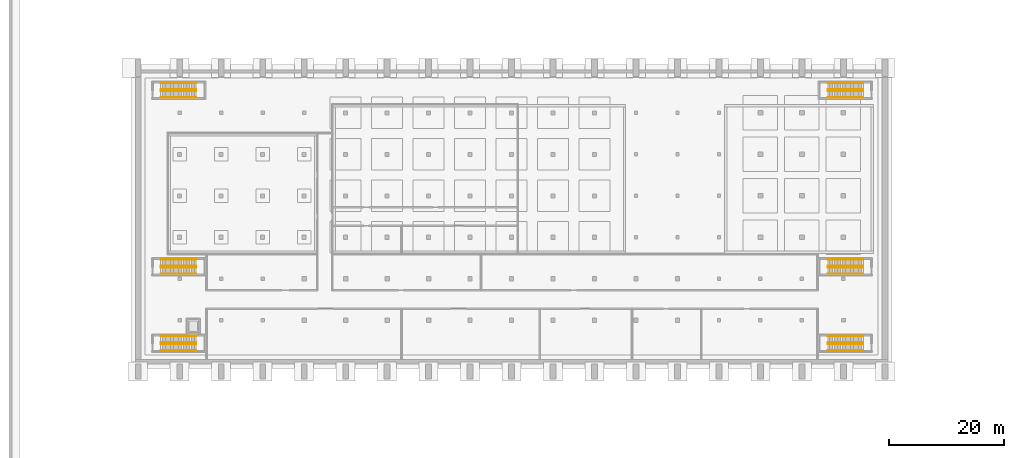
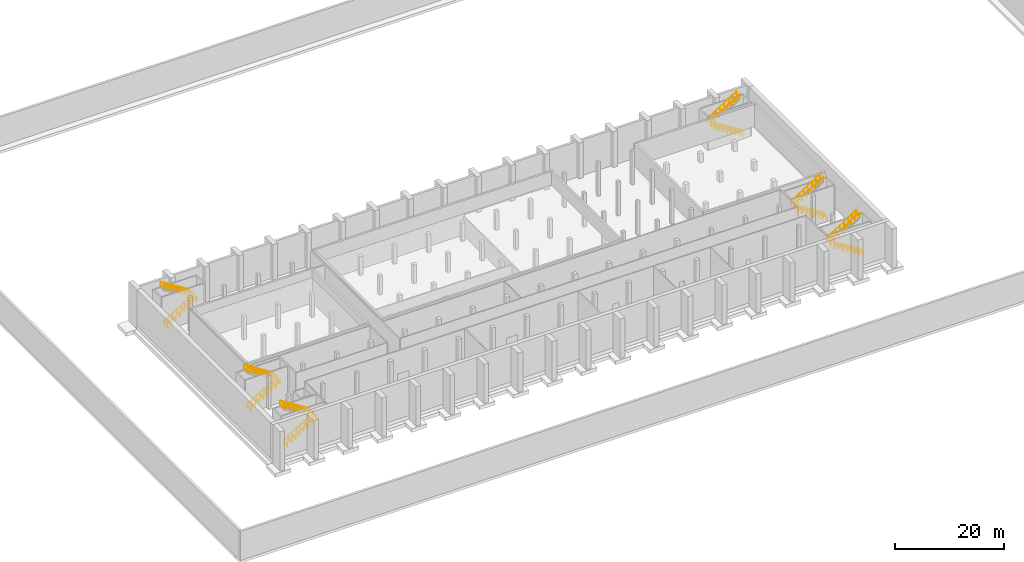
# One storey, part 13 of 14: 24 railings.
"""IFC4 building model written with IfcOpenShell, lengths in metres."""

from ifc_helpers import new_model, si_unit, direction, frame, origin, origin_2d, place, context, subcontext, project, spatial, circle, extrude, material, type_object, element, save


model = new_model("IFC4")

# Units and contexts
model_context = context("Model", 3, precision=1e-05, world=origin(), true_north=direction((0.0, 1.0)))
body_context = subcontext(model_context, "Body", "Model", "MODEL_VIEW")
ifc_project = project(units=[si_unit("LENGTHUNIT", "METRE"), si_unit("AREAUNIT", "SQUARE_METRE"), si_unit("VOLUMEUNIT", "CUBIC_METRE"), si_unit("PLANEANGLEUNIT", "RADIAN"), si_unit("MASSUNIT", "GRAM", prefix="KILO")], contexts=[model_context])

# Site, building, storey
site_placement = place(None, origin())
site = spatial("IfcSite", under=ifc_project, at=site_placement, CompositionType="ELEMENT")
building_placement = place(site_placement, origin())
building = spatial("IfcBuilding", under=site, at=building_placement, Name="Vermilion Court Aquatics Centre", CompositionType="ELEMENT")
storey_placement = place(building_placement, frame((0.0, 0.0, -8.0)))
storey = spatial("IfcBuildingStorey", under=building, at=storey_placement, Name="B1", CompositionType="ELEMENT", Elevation=-8.0)

# Railings
ifc_material = material(Name="Steel ASTM A992 Grade 50", Category="steel")
railing_type = type_object("IfcRailingType", Name="Hall stair handrail 900", PredefinedType="HANDRAIL", material=ifc_material)
for number, where, name in (
    (1, (18.300048828125, 17.449951171875, 0.173828125), "Exit stair 1 handrail"),
    (2, (18.300048828125, 16.35009765625, 0.173828125), "Exit stair 1 handrail"),
):
    element("IfcRailing", number, at=place(storey_placement, frame(where)), inside=storey, type_object=railing_type, Name=name, PredefinedType="HANDRAIL", context=body_context, shape_type="SweptSolid", body=[
        extrude(circle(Radius=0.02392578125, at=origin_2d()), frame((0.0, 0.0, 0.8759765625), z_axis=(0.849468459523, 0.0, 0.527639399851), x_axis=(0.0, 1.0, 0.0)), (0.0, 0.0, 1.0), 7.25146484375),
        extrude(circle(Radius=0.02099609375, at=origin_2d()), origin(), (0.0, 0.0, 1.0), 0.851806640625),
        extrude(circle(Radius=0.02099609375, at=origin_2d()), frame((0.8798828125, 0.0, 0.546630859375)), (0.0, 0.0, 1.0), 0.851806640625),
        extrude(circle(Radius=0.02099609375, at=origin_2d()), frame((1.760009765625, 0.0, 1.09326171875)), (0.0, 0.0, 1.0), 0.851806640625),
        extrude(circle(Radius=0.02099609375, at=origin_2d()), frame((2.639892578125, 0.0, 1.639892578125)), (0.0, 0.0, 1.0), 0.851806640625),
        extrude(circle(Radius=0.02099609375, at=origin_2d()), frame((3.52001953125, 0.0, 2.186279296875)), (0.0, 0.0, 1.0), 0.851806640625),
        extrude(circle(Radius=0.02099609375, at=origin_2d()), frame((4.39990234375, 0.0, 2.73291015625)), (0.0, 0.0, 1.0), 0.851806640625),
        extrude(circle(Radius=0.02099609375, at=origin_2d()), frame((5.280029296875, 0.0, 3.279541015625)), (0.0, 0.0, 1.0), 0.851806640625),
        extrude(circle(Radius=0.02099609375, at=origin_2d()), frame((6.159912109375, 0.0, 3.826171875)), (0.0, 0.0, 1.0), 0.851806640625),
    ])
for number, where, name in (
    (3, (24.4599609375, 18.85009765625, 4.173828125), "Exit stair 1 handrail"),
    (4, (24.4599609375, 17.75, 4.173828125), "Exit stair 1 handrail"),
):
    element("IfcRailing", number, at=place(storey_placement, frame(where)), inside=storey, type_object=railing_type, Name=name, PredefinedType="HANDRAIL", context=body_context, shape_type="SweptSolid", body=[
        extrude(circle(Radius=0.02392578125, at=origin_2d()), frame((0.0, 0.0, 0.8759765625), z_axis=(-0.849468459523, 0.0, 0.527639399851), x_axis=(0.0, -1.0, 0.0)), (0.0, 0.0, 1.0), 7.25146484375),
        extrude(circle(Radius=0.02099609375, at=origin_2d()), origin(), (0.0, 0.0, 1.0), 0.851806640625),
        extrude(circle(Radius=0.02099609375, at=origin_2d()), frame((-0.8798828125, 0.0, 0.546630859375)), (0.0, 0.0, 1.0), 0.851806640625),
        extrude(circle(Radius=0.02099609375, at=origin_2d()), frame((-1.760009765625, 0.0, 1.09326171875)), (0.0, 0.0, 1.0), 0.851806640625),
        extrude(circle(Radius=0.02099609375, at=origin_2d()), frame((-2.639892578125, 0.0, 1.639892578125)), (0.0, 0.0, 1.0), 0.851806640625),
        extrude(circle(Radius=0.02099609375, at=origin_2d()), frame((-3.52001953125, 0.0, 2.186279296875)), (0.0, 0.0, 1.0), 0.851806640625),
        extrude(circle(Radius=0.02099609375, at=origin_2d()), frame((-4.39990234375, 0.0, 2.73291015625)), (0.0, 0.0, 1.0), 0.851806640625),
        extrude(circle(Radius=0.02099609375, at=origin_2d()), frame((-5.280029296875, 0.0, 3.279541015625)), (0.0, 0.0, 1.0), 0.851806640625),
        extrude(circle(Radius=0.02099609375, at=origin_2d()), frame((-6.159912109375, 0.0, 3.826171875)), (0.0, 0.0, 1.0), 0.851806640625),
    ])
for number, where, name in (
    (5, (18.300048828125, 30.75, 0.173828125), "Exit stair 2 handrail"),
    (6, (18.300048828125, 29.64990234375, 0.173828125), "Exit stair 2 handrail"),
):
    element("IfcRailing", number, at=place(storey_placement, frame(where)), inside=storey, type_object=railing_type, Name=name, PredefinedType="HANDRAIL", context=body_context, shape_type="SweptSolid", body=[
        extrude(circle(Radius=0.02392578125, at=origin_2d()), frame((0.0, 0.0, 0.8759765625), z_axis=(0.849468459523, 0.0, 0.527639399851), x_axis=(0.0, 1.0, 0.0)), (0.0, 0.0, 1.0), 7.25146484375),
        extrude(circle(Radius=0.02099609375, at=origin_2d()), origin(), (0.0, 0.0, 1.0), 0.851806640625),
        extrude(circle(Radius=0.02099609375, at=origin_2d()), frame((0.8798828125, 0.0, 0.546630859375)), (0.0, 0.0, 1.0), 0.851806640625),
        extrude(circle(Radius=0.02099609375, at=origin_2d()), frame((1.760009765625, 0.0, 1.09326171875)), (0.0, 0.0, 1.0), 0.851806640625),
        extrude(circle(Radius=0.02099609375, at=origin_2d()), frame((2.639892578125, 0.0, 1.639892578125)), (0.0, 0.0, 1.0), 0.851806640625),
        extrude(circle(Radius=0.02099609375, at=origin_2d()), frame((3.52001953125, 0.0, 2.186279296875)), (0.0, 0.0, 1.0), 0.851806640625),
        extrude(circle(Radius=0.02099609375, at=origin_2d()), frame((4.39990234375, 0.0, 2.73291015625)), (0.0, 0.0, 1.0), 0.851806640625),
        extrude(circle(Radius=0.02099609375, at=origin_2d()), frame((5.280029296875, 0.0, 3.279541015625)), (0.0, 0.0, 1.0), 0.851806640625),
        extrude(circle(Radius=0.02099609375, at=origin_2d()), frame((6.159912109375, 0.0, 3.826171875)), (0.0, 0.0, 1.0), 0.851806640625),
    ])
for number, where, name in (
    (7, (24.4599609375, 32.14990234375, 4.173828125), "Exit stair 2 handrail"),
    (8, (24.4599609375, 31.050048828125, 4.173828125), "Exit stair 2 handrail"),
):
    element("IfcRailing", number, at=place(storey_placement, frame(where)), inside=storey, type_object=railing_type, Name=name, PredefinedType="HANDRAIL", context=body_context, shape_type="SweptSolid", body=[
        extrude(circle(Radius=0.02392578125, at=origin_2d()), frame((0.0, 0.0, 0.8759765625), z_axis=(-0.849468459523, 0.0, 0.527639399851), x_axis=(0.0, -1.0, 0.0)), (0.0, 0.0, 1.0), 7.25146484375),
        extrude(circle(Radius=0.02099609375, at=origin_2d()), origin(), (0.0, 0.0, 1.0), 0.851806640625),
        extrude(circle(Radius=0.02099609375, at=origin_2d()), frame((-0.8798828125, 0.0, 0.546630859375)), (0.0, 0.0, 1.0), 0.851806640625),
        extrude(circle(Radius=0.02099609375, at=origin_2d()), frame((-1.760009765625, 0.0, 1.09326171875)), (0.0, 0.0, 1.0), 0.851806640625),
        extrude(circle(Radius=0.02099609375, at=origin_2d()), frame((-2.639892578125, 0.0, 1.639892578125)), (0.0, 0.0, 1.0), 0.851806640625),
        extrude(circle(Radius=0.02099609375, at=origin_2d()), frame((-3.52001953125, 0.0, 2.186279296875)), (0.0, 0.0, 1.0), 0.851806640625),
        extrude(circle(Radius=0.02099609375, at=origin_2d()), frame((-4.39990234375, 0.0, 2.73291015625)), (0.0, 0.0, 1.0), 0.851806640625),
        extrude(circle(Radius=0.02099609375, at=origin_2d()), frame((-5.280029296875, 0.0, 3.279541015625)), (0.0, 0.0, 1.0), 0.851806640625),
        extrude(circle(Radius=0.02099609375, at=origin_2d()), frame((-6.159912109375, 0.0, 3.826171875)), (0.0, 0.0, 1.0), 0.851806640625),
    ])
for number, where, name in (
    (9, (18.300048828125, 61.35009765625, 0.173828125), "Exit stair 3 handrail"),
    (10, (18.300048828125, 60.25, 0.173828125), "Exit stair 3 handrail"),
):
    element("IfcRailing", number, at=place(storey_placement, frame(where)), inside=storey, type_object=railing_type, Name=name, PredefinedType="HANDRAIL", context=body_context, shape_type="SweptSolid", body=[
        extrude(circle(Radius=0.02392578125, at=origin_2d()), frame((0.0, 0.0, 0.8759765625), z_axis=(0.849468459523, 0.0, 0.527639399851), x_axis=(0.0, 1.0, 0.0)), (0.0, 0.0, 1.0), 7.25146484375),
        extrude(circle(Radius=0.02099609375, at=origin_2d()), origin(), (0.0, 0.0, 1.0), 0.851806640625),
        extrude(circle(Radius=0.02099609375, at=origin_2d()), frame((0.8798828125, 0.0, 0.546630859375)), (0.0, 0.0, 1.0), 0.851806640625),
        extrude(circle(Radius=0.02099609375, at=origin_2d()), frame((1.760009765625, 0.0, 1.09326171875)), (0.0, 0.0, 1.0), 0.851806640625),
        extrude(circle(Radius=0.02099609375, at=origin_2d()), frame((2.639892578125, 0.0, 1.639892578125)), (0.0, 0.0, 1.0), 0.851806640625),
        extrude(circle(Radius=0.02099609375, at=origin_2d()), frame((3.52001953125, 0.0, 2.186279296875)), (0.0, 0.0, 1.0), 0.851806640625),
        extrude(circle(Radius=0.02099609375, at=origin_2d()), frame((4.39990234375, 0.0, 2.73291015625)), (0.0, 0.0, 1.0), 0.851806640625),
        extrude(circle(Radius=0.02099609375, at=origin_2d()), frame((5.280029296875, 0.0, 3.279541015625)), (0.0, 0.0, 1.0), 0.851806640625),
        extrude(circle(Radius=0.02099609375, at=origin_2d()), frame((6.159912109375, 0.0, 3.826171875)), (0.0, 0.0, 1.0), 0.851806640625),
    ])
for number, where, name in (
    (11, (24.4599609375, 62.75, 4.173828125), "Exit stair 3 handrail"),
    (12, (24.4599609375, 61.64990234375, 4.173828125), "Exit stair 3 handrail"),
    (13, (140.25, 17.449951171875, 0.173828125), "Exit stair 4 handrail"),
    (14, (140.25, 16.35009765625, 0.173828125), "Exit stair 4 handrail"),
):
    element("IfcRailing", number, at=place(storey_placement, frame(where)), inside=storey, type_object=railing_type, Name=name, PredefinedType="HANDRAIL", context=body_context, shape_type="SweptSolid", body=[
        extrude(circle(Radius=0.02392578125, at=origin_2d()), frame((0.0, 0.0, 0.8759765625), z_axis=(-0.849468459523, 0.0, 0.527639399851), x_axis=(0.0, -1.0, 0.0)), (0.0, 0.0, 1.0), 7.25146484375),
        extrude(circle(Radius=0.02099609375, at=origin_2d()), origin(), (0.0, 0.0, 1.0), 0.851806640625),
        extrude(circle(Radius=0.02099609375, at=origin_2d()), frame((-0.8798828125, 0.0, 0.546630859375)), (0.0, 0.0, 1.0), 0.851806640625),
        extrude(circle(Radius=0.02099609375, at=origin_2d()), frame((-1.760009765625, 0.0, 1.09326171875)), (0.0, 0.0, 1.0), 0.851806640625),
        extrude(circle(Radius=0.02099609375, at=origin_2d()), frame((-2.639892578125, 0.0, 1.639892578125)), (0.0, 0.0, 1.0), 0.851806640625),
        extrude(circle(Radius=0.02099609375, at=origin_2d()), frame((-3.52001953125, 0.0, 2.186279296875)), (0.0, 0.0, 1.0), 0.851806640625),
        extrude(circle(Radius=0.02099609375, at=origin_2d()), frame((-4.39990234375, 0.0, 2.73291015625)), (0.0, 0.0, 1.0), 0.851806640625),
        extrude(circle(Radius=0.02099609375, at=origin_2d()), frame((-5.280029296875, 0.0, 3.279541015625)), (0.0, 0.0, 1.0), 0.851806640625),
        extrude(circle(Radius=0.02099609375, at=origin_2d()), frame((-6.159912109375, 0.0, 3.826171875)), (0.0, 0.0, 1.0), 0.851806640625),
    ])
for number, where, name in (
    (15, (134.090087890625, 18.85009765625, 4.173828125), "Exit stair 4 handrail"),
    (16, (134.090087890625, 17.75, 4.173828125), "Exit stair 4 handrail"),
):
    element("IfcRailing", number, at=place(storey_placement, frame(where)), inside=storey, type_object=railing_type, Name=name, PredefinedType="HANDRAIL", context=body_context, shape_type="SweptSolid", body=[
        extrude(circle(Radius=0.02392578125, at=origin_2d()), frame((0.0, 0.0, 0.8759765625), z_axis=(0.849468459523, 0.0, 0.527639399851), x_axis=(0.0, 1.0, 0.0)), (0.0, 0.0, 1.0), 7.25146484375),
        extrude(circle(Radius=0.02099609375, at=origin_2d()), origin(), (0.0, 0.0, 1.0), 0.851806640625),
        extrude(circle(Radius=0.02099609375, at=origin_2d()), frame((0.8798828125, 0.0, 0.546630859375)), (0.0, 0.0, 1.0), 0.851806640625),
        extrude(circle(Radius=0.02099609375, at=origin_2d()), frame((1.760009765625, 0.0, 1.09326171875)), (0.0, 0.0, 1.0), 0.851806640625),
        extrude(circle(Radius=0.02099609375, at=origin_2d()), frame((2.639892578125, 0.0, 1.639892578125)), (0.0, 0.0, 1.0), 0.851806640625),
        extrude(circle(Radius=0.02099609375, at=origin_2d()), frame((3.52001953125, 0.0, 2.186279296875)), (0.0, 0.0, 1.0), 0.851806640625),
        extrude(circle(Radius=0.02099609375, at=origin_2d()), frame((4.39990234375, 0.0, 2.73291015625)), (0.0, 0.0, 1.0), 0.851806640625),
        extrude(circle(Radius=0.02099609375, at=origin_2d()), frame((5.280029296875, 0.0, 3.279541015625)), (0.0, 0.0, 1.0), 0.851806640625),
        extrude(circle(Radius=0.02099609375, at=origin_2d()), frame((6.159912109375, 0.0, 3.826171875)), (0.0, 0.0, 1.0), 0.851806640625),
    ])
for number, where, name in (
    (17, (140.25, 30.75, 0.173828125), "Exit stair 5 handrail"),
    (18, (140.25, 29.64990234375, 0.173828125), "Exit stair 5 handrail"),
):
    element("IfcRailing", number, at=place(storey_placement, frame(where)), inside=storey, type_object=railing_type, Name=name, PredefinedType="HANDRAIL", context=body_context, shape_type="SweptSolid", body=[
        extrude(circle(Radius=0.02392578125, at=origin_2d()), frame((0.0, 0.0, 0.8759765625), z_axis=(-0.849468459523, 0.0, 0.527639399851), x_axis=(0.0, -1.0, 0.0)), (0.0, 0.0, 1.0), 7.25146484375),
        extrude(circle(Radius=0.02099609375, at=origin_2d()), origin(), (0.0, 0.0, 1.0), 0.851806640625),
        extrude(circle(Radius=0.02099609375, at=origin_2d()), frame((-0.8798828125, 0.0, 0.546630859375)), (0.0, 0.0, 1.0), 0.851806640625),
        extrude(circle(Radius=0.02099609375, at=origin_2d()), frame((-1.760009765625, 0.0, 1.09326171875)), (0.0, 0.0, 1.0), 0.851806640625),
        extrude(circle(Radius=0.02099609375, at=origin_2d()), frame((-2.639892578125, 0.0, 1.639892578125)), (0.0, 0.0, 1.0), 0.851806640625),
        extrude(circle(Radius=0.02099609375, at=origin_2d()), frame((-3.52001953125, 0.0, 2.186279296875)), (0.0, 0.0, 1.0), 0.851806640625),
        extrude(circle(Radius=0.02099609375, at=origin_2d()), frame((-4.39990234375, 0.0, 2.73291015625)), (0.0, 0.0, 1.0), 0.851806640625),
        extrude(circle(Radius=0.02099609375, at=origin_2d()), frame((-5.280029296875, 0.0, 3.279541015625)), (0.0, 0.0, 1.0), 0.851806640625),
        extrude(circle(Radius=0.02099609375, at=origin_2d()), frame((-6.159912109375, 0.0, 3.826171875)), (0.0, 0.0, 1.0), 0.851806640625),
    ])
for number, where, name in (
    (19, (134.090087890625, 32.14990234375, 4.173828125), "Exit stair 5 handrail"),
    (20, (134.090087890625, 31.050048828125, 4.173828125), "Exit stair 5 handrail"),
):
    element("IfcRailing", number, at=place(storey_placement, frame(where)), inside=storey, type_object=railing_type, Name=name, PredefinedType="HANDRAIL", context=body_context, shape_type="SweptSolid", body=[
        extrude(circle(Radius=0.02392578125, at=origin_2d()), frame((0.0, 0.0, 0.8759765625), z_axis=(0.849468459523, 0.0, 0.527639399851), x_axis=(0.0, 1.0, 0.0)), (0.0, 0.0, 1.0), 7.25146484375),
        extrude(circle(Radius=0.02099609375, at=origin_2d()), origin(), (0.0, 0.0, 1.0), 0.851806640625),
        extrude(circle(Radius=0.02099609375, at=origin_2d()), frame((0.8798828125, 0.0, 0.546630859375)), (0.0, 0.0, 1.0), 0.851806640625),
        extrude(circle(Radius=0.02099609375, at=origin_2d()), frame((1.760009765625, 0.0, 1.09326171875)), (0.0, 0.0, 1.0), 0.851806640625),
        extrude(circle(Radius=0.02099609375, at=origin_2d()), frame((2.639892578125, 0.0, 1.639892578125)), (0.0, 0.0, 1.0), 0.851806640625),
        extrude(circle(Radius=0.02099609375, at=origin_2d()), frame((3.52001953125, 0.0, 2.186279296875)), (0.0, 0.0, 1.0), 0.851806640625),
        extrude(circle(Radius=0.02099609375, at=origin_2d()), frame((4.39990234375, 0.0, 2.73291015625)), (0.0, 0.0, 1.0), 0.851806640625),
        extrude(circle(Radius=0.02099609375, at=origin_2d()), frame((5.280029296875, 0.0, 3.279541015625)), (0.0, 0.0, 1.0), 0.851806640625),
        extrude(circle(Radius=0.02099609375, at=origin_2d()), frame((6.159912109375, 0.0, 3.826171875)), (0.0, 0.0, 1.0), 0.851806640625),
    ])
for number, where, name in (
    (21, (140.25, 61.35009765625, 0.173828125), "Exit stair 6 handrail"),
    (22, (140.25, 60.25, 0.173828125), "Exit stair 6 handrail"),
):
    element("IfcRailing", number, at=place(storey_placement, frame(where)), inside=storey, type_object=railing_type, Name=name, PredefinedType="HANDRAIL", context=body_context, shape_type="SweptSolid", body=[
        extrude(circle(Radius=0.02392578125, at=origin_2d()), frame((0.0, 0.0, 0.8759765625), z_axis=(-0.849468459523, 0.0, 0.527639399851), x_axis=(0.0, -1.0, 0.0)), (0.0, 0.0, 1.0), 7.25146484375),
        extrude(circle(Radius=0.02099609375, at=origin_2d()), origin(), (0.0, 0.0, 1.0), 0.851806640625),
        extrude(circle(Radius=0.02099609375, at=origin_2d()), frame((-0.8798828125, 0.0, 0.546630859375)), (0.0, 0.0, 1.0), 0.851806640625),
        extrude(circle(Radius=0.02099609375, at=origin_2d()), frame((-1.760009765625, 0.0, 1.09326171875)), (0.0, 0.0, 1.0), 0.851806640625),
        extrude(circle(Radius=0.02099609375, at=origin_2d()), frame((-2.639892578125, 0.0, 1.639892578125)), (0.0, 0.0, 1.0), 0.851806640625),
        extrude(circle(Radius=0.02099609375, at=origin_2d()), frame((-3.52001953125, 0.0, 2.186279296875)), (0.0, 0.0, 1.0), 0.851806640625),
        extrude(circle(Radius=0.02099609375, at=origin_2d()), frame((-4.39990234375, 0.0, 2.73291015625)), (0.0, 0.0, 1.0), 0.851806640625),
        extrude(circle(Radius=0.02099609375, at=origin_2d()), frame((-5.280029296875, 0.0, 3.279541015625)), (0.0, 0.0, 1.0), 0.851806640625),
        extrude(circle(Radius=0.02099609375, at=origin_2d()), frame((-6.159912109375, 0.0, 3.826171875)), (0.0, 0.0, 1.0), 0.851806640625),
    ])
for number, where, name in (
    (23, (134.090087890625, 62.75, 4.173828125), "Exit stair 6 handrail"),
    (24, (134.090087890625, 61.64990234375, 4.173828125), "Exit stair 6 handrail"),
):
    element("IfcRailing", number, at=place(storey_placement, frame(where)), inside=storey, type_object=railing_type, Name=name, PredefinedType="HANDRAIL", context=body_context, shape_type="SweptSolid", body=[
        extrude(circle(Radius=0.02392578125, at=origin_2d()), frame((0.0, 0.0, 0.8759765625), z_axis=(0.849468459523, 0.0, 0.527639399851), x_axis=(0.0, 1.0, 0.0)), (0.0, 0.0, 1.0), 7.25146484375),
        extrude(circle(Radius=0.02099609375, at=origin_2d()), origin(), (0.0, 0.0, 1.0), 0.851806640625),
        extrude(circle(Radius=0.02099609375, at=origin_2d()), frame((0.8798828125, 0.0, 0.546630859375)), (0.0, 0.0, 1.0), 0.851806640625),
        extrude(circle(Radius=0.02099609375, at=origin_2d()), frame((1.760009765625, 0.0, 1.09326171875)), (0.0, 0.0, 1.0), 0.851806640625),
        extrude(circle(Radius=0.02099609375, at=origin_2d()), frame((2.639892578125, 0.0, 1.639892578125)), (0.0, 0.0, 1.0), 0.851806640625),
        extrude(circle(Radius=0.02099609375, at=origin_2d()), frame((3.52001953125, 0.0, 2.186279296875)), (0.0, 0.0, 1.0), 0.851806640625),
        extrude(circle(Radius=0.02099609375, at=origin_2d()), frame((4.39990234375, 0.0, 2.73291015625)), (0.0, 0.0, 1.0), 0.851806640625),
        extrude(circle(Radius=0.02099609375, at=origin_2d()), frame((5.280029296875, 0.0, 3.279541015625)), (0.0, 0.0, 1.0), 0.851806640625),
        extrude(circle(Radius=0.02099609375, at=origin_2d()), frame((6.159912109375, 0.0, 3.826171875)), (0.0, 0.0, 1.0), 0.851806640625),
    ])

save(model, "model.ifc")
